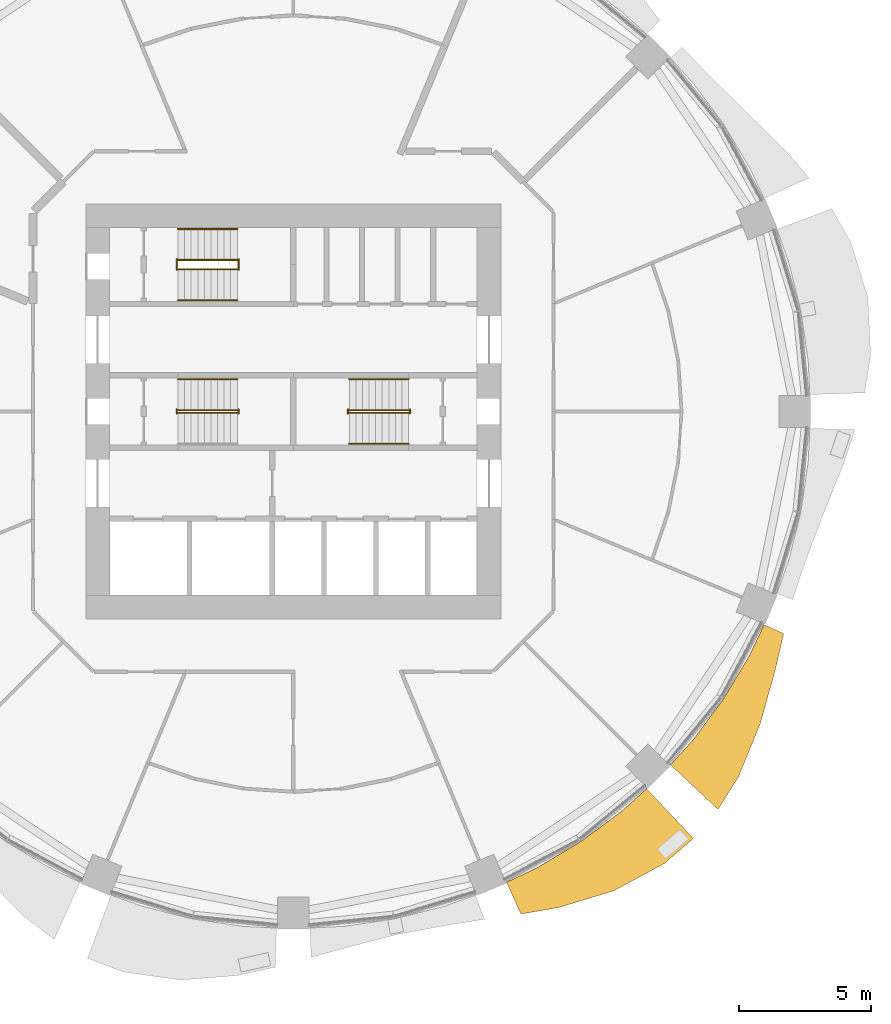
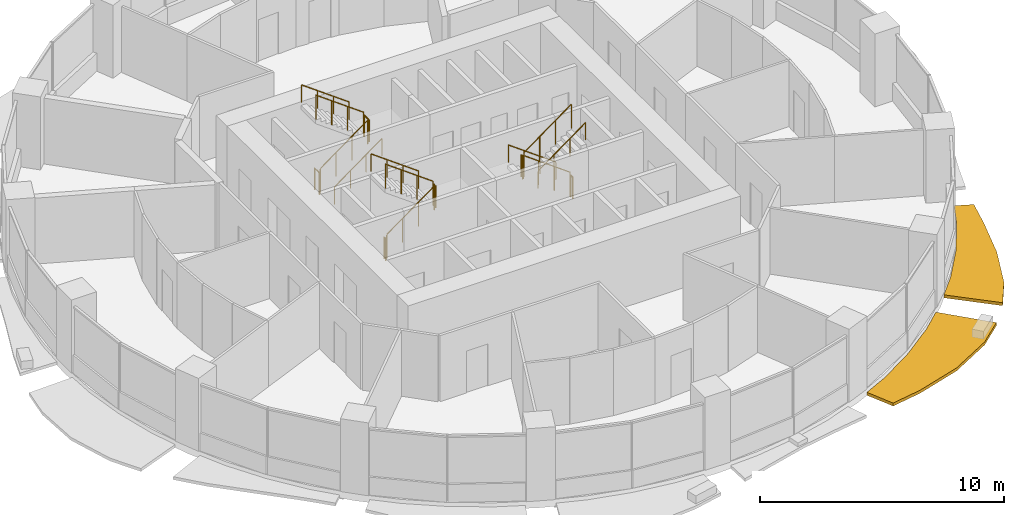
# One storey, part 13 of 15: 17 railings, 2 shading devices.
"""IFC4 building model written with IfcOpenShell, lengths in metres."""

from ifc_helpers import new_model, si_unit, direction, frame, origin, origin_2d, place, context, subcontext, project, spatial, polyline, circle, outline, extrude, material, type_object, element, save


model = new_model("IFC4")

# Units and contexts
model_context = context("Model", 3, precision=1e-05, world=origin(), true_north=direction((0.0, 1.0)))
body_context = subcontext(model_context, "Body", "Model", "MODEL_VIEW")
ifc_project = project(units=[si_unit("LENGTHUNIT", "METRE"), si_unit("AREAUNIT", "SQUARE_METRE"), si_unit("VOLUMEUNIT", "CUBIC_METRE"), si_unit("PLANEANGLEUNIT", "RADIAN"), si_unit("MASSUNIT", "GRAM", prefix="KILO")], contexts=[model_context])

# Site, building, storey
site_placement = place(None, origin())
site = spatial("IfcSite", under=ifc_project, at=site_placement, CompositionType="ELEMENT")
building_placement = place(site_placement, origin())
building = spatial("IfcBuilding", under=site, at=building_placement, Name="Polderwave Tower", CompositionType="ELEMENT")
storey_placement = place(building_placement, frame((0.0, 0.0, 55.39990234375)))
storey = spatial("IfcBuildingStorey", under=building, at=storey_placement, Name="L14", CompositionType="ELEMENT", Elevation=55.39990234375)

# Railings
ifc_material_1 = material(Name="Stainless steel", Category="steel")
railing_type_1 = type_object("IfcRailingType", Name="Stair guard 1100", PredefinedType="GUARDRAIL", material=ifc_material_1)
railing_1_placement = place(storey_placement, frame((-4.3740234375, -0.051025390625, 0.0625)))
element("IfcRailing", 1, at=railing_1_placement, inside=storey, type_object=railing_type_1, Name="L14 ST-A stair guard 1", PredefinedType="GUARDRAIL", context=body_context, shape_type="SweptSolid", body=[
    extrude(circle(Radius=0.02392578125, at=origin_2d()), frame((0.0, 0.0, 1.1962890625), z_axis=(0.807673635365, 0.0, 0.58962979804), x_axis=(0.0, 1.0, 0.0)), (0.0, 0.0, 1.0), 2.785888671875),
    extrude(circle(Radius=0.02392578125, at=origin_2d()), origin(), (0.0, 0.0, 1.0), 1.172119140625),
    extrude(circle(Radius=0.02392578125, at=origin_2d()), frame((0.75, 0.0, 0.547607421875)), (0.0, 0.0, 1.0), 1.172119140625),
    extrude(circle(Radius=0.02392578125, at=origin_2d()), frame((1.5, 0.0, 1.094970703125)), (0.0, 0.0, 1.0), 1.172119140625),
    extrude(circle(Radius=0.02392578125, at=origin_2d()), frame((2.25, 0.0, 1.642578125)), (0.0, 0.0, 1.0), 1.172119140625),
])
railing_2_placement = place(storey_placement, frame((-2.073974609375, -0.074951171875, 1.8251953125)))
element("IfcRailing", 2, at=railing_2_placement, inside=storey, type_object=railing_type_1, Name="L14 ST-A stair guard 2", PredefinedType="GUARDRAIL", context=body_context, shape_type="SweptSolid", body=[
    extrude(circle(Radius=0.02392578125, at=origin_2d()), frame((0.0, 0.0, 1.076171875), z_axis=(0.0, 1.0, 0.0), x_axis=(-1.0, 0.0, 0.0)), (0.0, 0.0, 1.0), 0.14990234375),
    extrude(circle(Radius=0.02099609375, at=origin_2d()), origin(), (0.0, 0.0, 1.0), 1.052001953125),
    extrude(circle(Radius=0.02099609375, at=origin_2d()), frame((0.0, 0.14990234375, 0.0)), (0.0, 0.0, 1.0), 1.052001953125),
])
railing_3_placement = place(storey_placement, frame((-2.1240234375, 0.051025390625, 1.887451171875)))
element("IfcRailing", 3, at=railing_3_placement, inside=storey, type_object=railing_type_1, Name="L14 ST-A stair guard 3", PredefinedType="GUARDRAIL", context=body_context, shape_type="SweptSolid", body=[
    extrude(circle(Radius=0.02392578125, at=origin_2d()), frame((0.0, 0.0, 1.1962890625), z_axis=(-0.807673635365, 0.0, 0.58962979804), x_axis=(0.0, -1.0, 0.0)), (0.0, 0.0, 1.0), 2.785888671875),
    extrude(circle(Radius=0.02392578125, at=origin_2d()), origin(), (0.0, 0.0, 1.0), 1.172119140625),
    extrude(circle(Radius=0.02392578125, at=origin_2d()), frame((-0.75, 0.0, 0.547607421875)), (0.0, 0.0, 1.0), 1.172119140625),
    extrude(circle(Radius=0.02392578125, at=origin_2d()), frame((-1.5, 0.0, 1.094970703125)), (0.0, 0.0, 1.0), 1.172119140625),
    extrude(circle(Radius=0.02392578125, at=origin_2d()), frame((-2.25, 0.0, 1.642578125)), (0.0, 0.0, 1.0), 1.172119140625),
])
railing_4_placement = place(storey_placement, frame((-4.424072265625, -0.074951171875, 0.0)))
element("IfcRailing", 4, at=railing_4_placement, inside=storey, type_object=railing_type_1, Name="L14 ST-A stair guard 4", PredefinedType="GUARDRAIL", context=body_context, shape_type="SweptSolid", body=[
    extrude(circle(Radius=0.02392578125, at=origin_2d()), frame((0.0, 0.0, 1.076171875), z_axis=(0.0, 1.0, 0.0), x_axis=(-1.0, 0.0, 0.0)), (0.0, 0.0, 1.0), 0.14990234375),
    extrude(circle(Radius=0.02099609375, at=origin_2d()), origin(), (0.0, 0.0, 1.0), 1.052001953125),
    extrude(circle(Radius=0.02099609375, at=origin_2d()), frame((0.0, 0.14990234375, 0.0)), (0.0, 0.0, 1.0), 1.052001953125),
])
railing_5_placement = place(storey_placement, frame((4.3740234375, 0.051025390625, 0.0625)))
element("IfcRailing", 5, at=railing_5_placement, inside=storey, type_object=railing_type_1, Name="L14 ST-B stair guard 1", PredefinedType="GUARDRAIL", context=body_context, shape_type="SweptSolid", body=[
    extrude(circle(Radius=0.02392578125, at=origin_2d()), frame((0.0, 0.0, 1.1962890625), z_axis=(-0.807673635365, 0.0, 0.58962979804), x_axis=(0.0, -1.0, 0.0)), (0.0, 0.0, 1.0), 2.785888671875),
    extrude(circle(Radius=0.02392578125, at=origin_2d()), origin(), (0.0, 0.0, 1.0), 1.172119140625),
    extrude(circle(Radius=0.02392578125, at=origin_2d()), frame((-0.75, 0.0, 0.547607421875)), (0.0, 0.0, 1.0), 1.172119140625),
    extrude(circle(Radius=0.02392578125, at=origin_2d()), frame((-1.5, 0.0, 1.094970703125)), (0.0, 0.0, 1.0), 1.172119140625),
    extrude(circle(Radius=0.02392578125, at=origin_2d()), frame((-2.25, 0.0, 1.642578125)), (0.0, 0.0, 1.0), 1.172119140625),
])
railing_6_placement = place(storey_placement, frame((2.073974609375, 0.074951171875, 1.8251953125)))
element("IfcRailing", 6, at=railing_6_placement, inside=storey, type_object=railing_type_1, Name="L14 ST-B stair guard 2", PredefinedType="GUARDRAIL", context=body_context, shape_type="SweptSolid", body=[
    extrude(circle(Radius=0.02392578125, at=origin_2d()), frame((0.0, 0.0, 1.076171875), z_axis=(0.0, -1.0, 0.0), x_axis=(1.0, 0.0, 0.0)), (0.0, 0.0, 1.0), 0.14990234375),
    extrude(circle(Radius=0.02099609375, at=origin_2d()), origin(), (0.0, 0.0, 1.0), 1.052001953125),
    extrude(circle(Radius=0.02099609375, at=origin_2d()), frame((0.0, -0.14990234375, 0.0)), (0.0, 0.0, 1.0), 1.052001953125),
])
railing_7_placement = place(storey_placement, frame((2.1240234375, -0.051025390625, 1.887451171875)))
element("IfcRailing", 7, at=railing_7_placement, inside=storey, type_object=railing_type_1, Name="L14 ST-B stair guard 3", PredefinedType="GUARDRAIL", context=body_context, shape_type="SweptSolid", body=[
    extrude(circle(Radius=0.02392578125, at=origin_2d()), frame((0.0, 0.0, 1.1962890625), z_axis=(0.807673635365, 0.0, 0.58962979804), x_axis=(0.0, 1.0, 0.0)), (0.0, 0.0, 1.0), 2.785888671875),
    extrude(circle(Radius=0.02392578125, at=origin_2d()), origin(), (0.0, 0.0, 1.0), 1.172119140625),
    extrude(circle(Radius=0.02392578125, at=origin_2d()), frame((0.75, 0.0, 0.547607421875)), (0.0, 0.0, 1.0), 1.172119140625),
    extrude(circle(Radius=0.02392578125, at=origin_2d()), frame((1.5, 0.0, 1.094970703125)), (0.0, 0.0, 1.0), 1.172119140625),
    extrude(circle(Radius=0.02392578125, at=origin_2d()), frame((2.25, 0.0, 1.642578125)), (0.0, 0.0, 1.0), 1.172119140625),
])
railing_8_placement = place(storey_placement, frame((4.424072265625, 0.074951171875, 0.0)))
element("IfcRailing", 8, at=railing_8_placement, inside=storey, type_object=railing_type_1, Name="L14 ST-B stair guard 4", PredefinedType="GUARDRAIL", context=body_context, shape_type="SweptSolid", body=[
    extrude(circle(Radius=0.02392578125, at=origin_2d()), frame((0.0, 0.0, 1.076171875), z_axis=(0.0, -1.0, 0.0), x_axis=(1.0, 0.0, 0.0)), (0.0, 0.0, 1.0), 0.14990234375),
    extrude(circle(Radius=0.02099609375, at=origin_2d()), origin(), (0.0, 0.0, 1.0), 1.052001953125),
    extrude(circle(Radius=0.02099609375, at=origin_2d()), frame((0.0, -0.14990234375, 0.0)), (0.0, 0.0, 1.0), 1.052001953125),
])
railing_9_placement = place(storey_placement, frame((-4.3740234375, 5.39794921875, 0.0625)))
element("IfcRailing", 9, at=railing_9_placement, inside=storey, type_object=railing_type_1, Name="L14 ST-C stair guard 1", PredefinedType="GUARDRAIL", context=body_context, shape_type="SweptSolid", body=[
    extrude(circle(Radius=0.02392578125, at=origin_2d()), frame((0.0, 0.0, 1.1962890625), z_axis=(0.807673635365, 0.0, 0.58962979804), x_axis=(0.0, 1.0, 0.0)), (0.0, 0.0, 1.0), 2.785888671875),
    extrude(circle(Radius=0.02392578125, at=origin_2d()), origin(), (0.0, 0.0, 1.0), 1.172119140625),
    extrude(circle(Radius=0.02392578125, at=origin_2d()), frame((0.75, 0.0, 0.547607421875)), (0.0, 0.0, 1.0), 1.172119140625),
    extrude(circle(Radius=0.02392578125, at=origin_2d()), frame((1.5, 0.0, 1.094970703125)), (0.0, 0.0, 1.0), 1.172119140625),
    extrude(circle(Radius=0.02392578125, at=origin_2d()), frame((2.25, 0.0, 1.642578125)), (0.0, 0.0, 1.0), 1.172119140625),
])
railing_10_placement = place(storey_placement, frame((-2.073974609375, 5.3740234375, 1.8251953125)))
element("IfcRailing", 10, at=railing_10_placement, inside=storey, type_object=railing_type_1, Name="L14 ST-C stair guard 2", PredefinedType="GUARDRAIL", context=body_context, shape_type="SweptSolid", body=[
    extrude(circle(Radius=0.02392578125, at=origin_2d()), frame((0.0, 0.0, 1.076171875), z_axis=(0.0, 1.0, 0.0), x_axis=(-1.0, 0.0, 0.0)), (0.0, 0.0, 1.0), 0.39990234375),
    extrude(circle(Radius=0.02099609375, at=origin_2d()), origin(), (0.0, 0.0, 1.0), 1.052001953125),
    extrude(circle(Radius=0.02099609375, at=origin_2d()), frame((0.0, 0.39990234375, 0.0)), (0.0, 0.0, 1.0), 1.052001953125),
])
railing_11_placement = place(storey_placement, frame((-2.1240234375, 5.75, 1.887451171875)))
element("IfcRailing", 11, at=railing_11_placement, inside=storey, type_object=railing_type_1, Name="L14 ST-C stair guard 3", PredefinedType="GUARDRAIL", context=body_context, shape_type="SweptSolid", body=[
    extrude(circle(Radius=0.02392578125, at=origin_2d()), frame((0.0, 0.0, 1.1962890625), z_axis=(-0.807673635365, 0.0, 0.58962979804), x_axis=(0.0, -1.0, 0.0)), (0.0, 0.0, 1.0), 2.785888671875),
    extrude(circle(Radius=0.02392578125, at=origin_2d()), origin(), (0.0, 0.0, 1.0), 1.172119140625),
    extrude(circle(Radius=0.02392578125, at=origin_2d()), frame((-0.75, 0.0, 0.547607421875)), (0.0, 0.0, 1.0), 1.172119140625),
    extrude(circle(Radius=0.02392578125, at=origin_2d()), frame((-1.5, 0.0, 1.094970703125)), (0.0, 0.0, 1.0), 1.172119140625),
    extrude(circle(Radius=0.02392578125, at=origin_2d()), frame((-2.25, 0.0, 1.642578125)), (0.0, 0.0, 1.0), 1.172119140625),
])
railing_12_placement = place(storey_placement, frame((-4.424072265625, 5.3740234375, 0.0)))
element("IfcRailing", 12, at=railing_12_placement, inside=storey, type_object=railing_type_1, Name="L14 ST-C stair guard 4", PredefinedType="GUARDRAIL", context=body_context, shape_type="SweptSolid", body=[
    extrude(circle(Radius=0.02392578125, at=origin_2d()), frame((0.0, 0.0, 1.076171875), z_axis=(0.0, 1.0, 0.0), x_axis=(-1.0, 0.0, 0.0)), (0.0, 0.0, 1.0), 0.39990234375),
    extrude(circle(Radius=0.02099609375, at=origin_2d()), origin(), (0.0, 0.0, 1.0), 1.052001953125),
    extrude(circle(Radius=0.02099609375, at=origin_2d()), frame((0.0, 0.39990234375, 0.0)), (0.0, 0.0, 1.0), 1.052001953125),
])
railing_type_2 = type_object("IfcRailingType", Name="Stair handrail 900", PredefinedType="HANDRAIL", material=ifc_material_1)
for number, where, name in (
    (13, (-2.1240234375, 1.22509765625, 2.007568359375), "L14 ST-A stair handrail 2"),
    (14, (4.3740234375, 1.22509765625, 0.1826171875), "L14 ST-B stair handrail 1"),
):
    element("IfcRailing", number, at=place(storey_placement, frame(where)), inside=storey, type_object=railing_type_2, Name=name, PredefinedType="HANDRAIL", context=body_context, shape_type="SweptSolid", body=[
        extrude(circle(Radius=0.02392578125, at=origin_2d()), frame((0.0, 0.0, 0.8759765625), z_axis=(-0.807673635365, 0.0, 0.58962979804), x_axis=(0.0, -1.0, 0.0)), (0.0, 0.0, 1.0), 2.785888671875),
        extrude(circle(Radius=0.02099609375, at=origin_2d()), origin(), (0.0, 0.0, 1.0), 0.851806640625),
        extrude(circle(Radius=0.02099609375, at=origin_2d()), frame((-0.75, 0.0, 0.547607421875)), (0.0, 0.0, 1.0), 0.851806640625),
        extrude(circle(Radius=0.02099609375, at=origin_2d()), frame((-1.5, 0.0, 1.094970703125)), (0.0, 0.0, 1.0), 0.851806640625),
        extrude(circle(Radius=0.02099609375, at=origin_2d()), frame((-2.25, 0.0, 1.642578125)), (0.0, 0.0, 1.0), 0.851806640625),
    ])
for number, where, name in (
    (15, (2.1240234375, -1.22509765625, 2.007568359375), "L14 ST-B stair handrail 2"),
    (16, (-4.3740234375, 4.22412109375, 0.1826171875), "L14 ST-C stair handrail 1"),
):
    element("IfcRailing", number, at=place(storey_placement, frame(where)), inside=storey, type_object=railing_type_2, Name=name, PredefinedType="HANDRAIL", context=body_context, shape_type="SweptSolid", body=[
        extrude(circle(Radius=0.02392578125, at=origin_2d()), frame((0.0, 0.0, 0.8759765625), z_axis=(0.807673635365, 0.0, 0.58962979804), x_axis=(0.0, 1.0, 0.0)), (0.0, 0.0, 1.0), 2.785888671875),
        extrude(circle(Radius=0.02099609375, at=origin_2d()), origin(), (0.0, 0.0, 1.0), 0.851806640625),
        extrude(circle(Radius=0.02099609375, at=origin_2d()), frame((0.75, 0.0, 0.547607421875)), (0.0, 0.0, 1.0), 0.851806640625),
        extrude(circle(Radius=0.02099609375, at=origin_2d()), frame((1.5, 0.0, 1.094970703125)), (0.0, 0.0, 1.0), 0.851806640625),
        extrude(circle(Radius=0.02099609375, at=origin_2d()), frame((2.25, 0.0, 1.642578125)), (0.0, 0.0, 1.0), 0.851806640625),
    ])
railing_13_placement = place(storey_placement, frame((-2.1240234375, 6.924072265625, 2.007568359375)))
element("IfcRailing", 17, at=railing_13_placement, inside=storey, type_object=railing_type_2, Name="L14 ST-C stair handrail 2", PredefinedType="HANDRAIL", context=body_context, shape_type="SweptSolid", body=[
    extrude(circle(Radius=0.02392578125, at=origin_2d()), frame((0.0, 0.0, 0.8759765625), z_axis=(-0.807673635365, 0.0, 0.58962979804), x_axis=(0.0, -1.0, 0.0)), (0.0, 0.0, 1.0), 2.785888671875),
    extrude(circle(Radius=0.02099609375, at=origin_2d()), origin(), (0.0, 0.0, 1.0), 0.851806640625),
    extrude(circle(Radius=0.02099609375, at=origin_2d()), frame((-0.75, 0.0, 0.547607421875)), (0.0, 0.0, 1.0), 0.851806640625),
    extrude(circle(Radius=0.02099609375, at=origin_2d()), frame((-1.5, 0.0, 1.094970703125)), (0.0, 0.0, 1.0), 0.851806640625),
    extrude(circle(Radius=0.02099609375, at=origin_2d()), frame((-2.25, 0.0, 1.642578125)), (0.0, 0.0, 1.0), 0.851806640625),
])

# Shading devices
ifc_material_2 = material(Name="Terracotta", Category="masonry")
shading_device_type = type_object("IfcShadingDeviceType", Name="Terracotta sunshade band", PredefinedType="USERDEFINED", material=ifc_material_2)
shading_device_1_placement = place(storey_placement, frame((0.0, 0.0, -0.349853515625)))
element("IfcShadingDevice", 18, at=shading_device_1_placement, inside=storey, type_object=shading_device_type, Name="Sunshade band L14 14", ObjectType="SUNSHADE", PredefinedType="USERDEFINED", context=body_context, shape_type="SweptSolid", body=[
    extrude(outline(polyline([(8.089599609375, -17.862548828125), (9.25341796875, -17.31201171875), (10.90576171875, -16.32177734375), (12.453125, -15.17431640625), (13.4072265625, -14.3095703125), (15.180419921875, -16.201904296875), (14.078125, -17.154296875), (12.154052734375, -18.189697265625), (10.061279296875, -18.823486328125), (8.6357421875, -19.068603515625), (8.089599609375, -17.862548828125)])), origin(), (0.0, 0.0, 1.0), 0.14990234375),
])
shading_device_2_placement = place(storey_placement, frame((0.0, 0.0, -0.349853515625)))
element("IfcShadingDevice", 19, at=shading_device_2_placement, inside=storey, type_object=shading_device_type, Name="Sunshade band L14 15", ObjectType="SUNSHADE", PredefinedType="USERDEFINED", context=body_context, shape_type="SweptSolid", body=[
    extrude(outline(polyline([(14.3095703125, -13.4072265625), (15.17431640625, -12.453125), (16.32177734375, -10.90576171875), (17.31201171875, -9.25341796875), (17.862548828125, -8.089599609375), (18.606201171875, -8.42626953125), (18.295166015625, -9.779052734375), (17.720458984375, -11.84033203125), (16.891845703125, -13.86279296875), (16.115478515625, -15.099365234375), (14.3095703125, -13.4072265625)])), origin(), (0.0, 0.0, 1.0), 0.14990234375),
])

save(model, "model.ifc")
